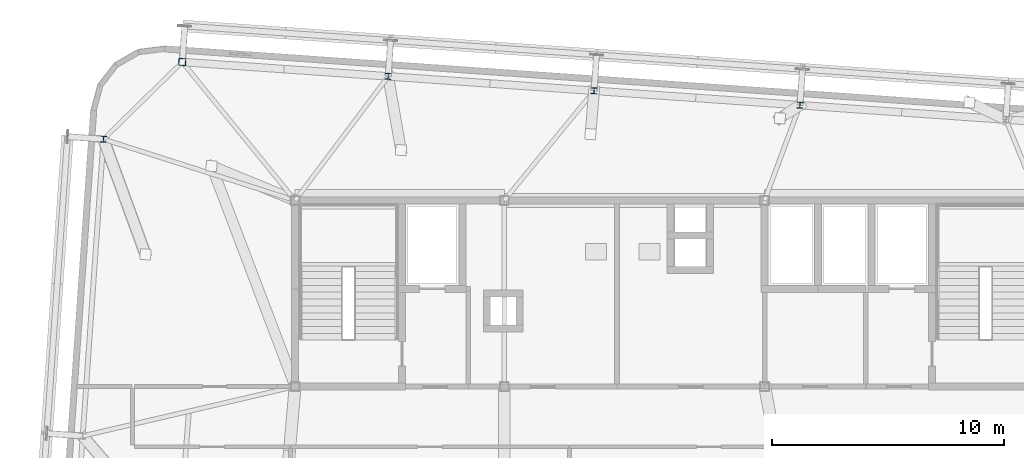
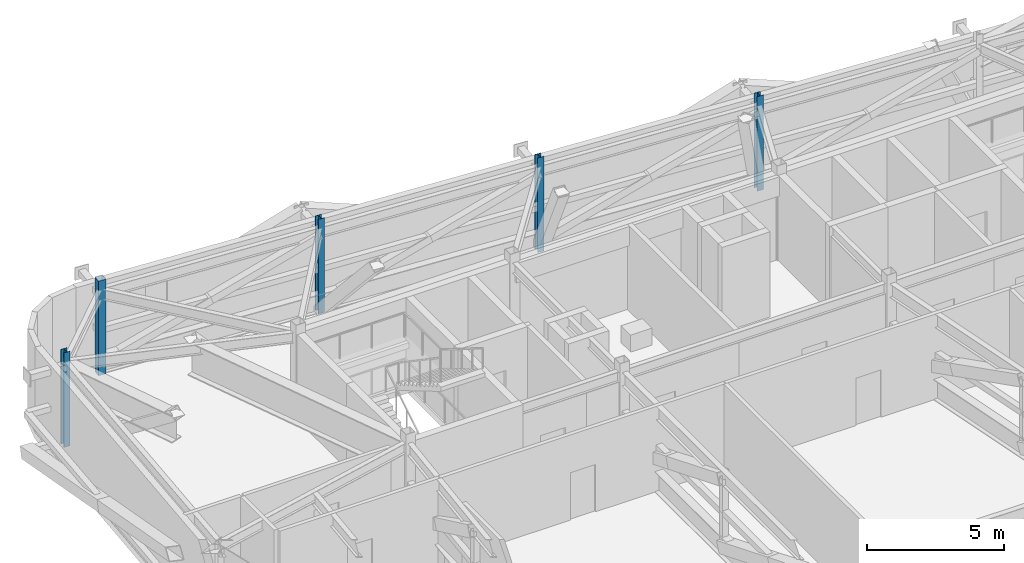
# One storey, part 4 of 24: 5 columns.
"""IFC4 building model written with IfcOpenShell, lengths in metres."""

import ifcopenshell
import ifcopenshell.guid

model = None  # the IFC model being written
_history = None  # IfcOwnerHistory: only IFC2X3 demands one
_inside = {}  # id of a spatial element -> (the spatial element, [elements in it])
_under = {}  # id of a project, library or spatial element -> (it, [spatial elements below it])
_declared = {}  # id of a project -> (the project, [libraries it declares])
_typed = {}  # id of a type object -> (the type object, [elements of that type])
_made_of = {}  # id of a material, layer set ... -> (it, [elements and type objects made of it])


def new_model(schema):
    """Start an empty IFC model of exactly this schema.

    Asked for "IFC4X3", IfcOpenShell would pick the latest addendum, in which some entities
    have other attributes; the version numbers below select the first issue.
    IFC2X3 requires an IfcOwnerHistory on every rooted entity: one is made here for all.
    """
    global model, _history
    if schema == "IFC4X3":
        model = ifcopenshell.file(schema_version=(4, 3, 0, 0))
    else:
        model = ifcopenshell.file(schema=schema)
    _inside.clear()
    _under.clear()
    _declared.clear()
    _typed.clear()
    _made_of.clear()
    _history = None
    if model.schema == "IFC2X3":
        org = make("IfcOrganization", Name="unknown")
        user = make(
            "IfcPersonAndOrganization",
            ThePerson=make("IfcPerson", FamilyName="unknown"),
            TheOrganization=org,
        )
        app = make(
            "IfcApplication",
            ApplicationDeveloper=org,
            Version="unknown",
            ApplicationFullName="unknown",
            ApplicationIdentifier="unknown",
        )
        _history = make(
            "IfcOwnerHistory",
            OwningUser=user,
            OwningApplication=app,
            ChangeAction="ADDED",
            CreationDate=0,
        )
    return model


def make(cls, **values):
    """One entity of the class cls with the attributes given. An attribute that is None is left unset."""
    return model.create_entity(
        cls, **{name: value for name, value in values.items() if value is not None}
    )


def rooted(cls, **values):
    """An entity with a GlobalId (a new one), such as an element, a storey or a relation."""
    return make(cls, GlobalId=ifcopenshell.guid.new(), OwnerHistory=_history, **values)


def si_unit(unit_type, name, prefix=None):
    """IfcSIUnit, for example si_unit("LENGTHUNIT", "METRE", prefix="MILLI")."""
    return make("IfcSIUnit", UnitType=unit_type, Prefix=prefix, Name=name)


def assignment(units):
    """IfcUnitAssignment: the units of a project."""
    return None if units is None else make("IfcUnitAssignment", Units=units)


def point(xyz):
    """IfcCartesianPoint."""
    return None if xyz is None else make("IfcCartesianPoint", Coordinates=xyz)


def direction(xyz):
    """IfcDirection."""
    return None if xyz is None else make("IfcDirection", DirectionRatios=xyz)


def frame(location, z_axis=None, x_axis=None):
    """IfcAxis2Placement3D, a coordinate frame: its origin and axes. An axis left out is left unset."""
    return make(
        "IfcAxis2Placement3D",
        Location=point(location),
        Axis=direction(z_axis),
        RefDirection=direction(x_axis),
    )


def frame_2d(location, x_axis=None):
    """IfcAxis2Placement2D, a coordinate frame in the plane: its origin and x axis."""
    return make(
        "IfcAxis2Placement2D", Location=point(location), RefDirection=direction(x_axis)
    )


def origin():
    """The frame at (0, 0, 0) with its axes left unset."""
    return frame((0.0, 0.0, 0.0))


def origin_2d():
    """The frame at (0, 0) in the plane with its x axis left unset."""
    return frame_2d((0.0, 0.0))


def place(relative_to, where):
    """IfcLocalPlacement: puts the frame where relative to a parent placement (None: the world)."""
    return make(
        "IfcLocalPlacement", PlacementRelTo=relative_to, RelativePlacement=where
    )


def context(
    kind, dimensions, precision=None, world=None, true_north=None, identifier=None
):
    """IfcGeometricRepresentationContext, for example the 3D "Model" context."""
    return make(
        "IfcGeometricRepresentationContext",
        ContextIdentifier=identifier,
        ContextType=kind,
        CoordinateSpaceDimension=dimensions,
        Precision=precision,
        WorldCoordinateSystem=world,
        TrueNorth=true_north,
    )


def subcontext(parent, identifier, kind, view, scale=None):
    """IfcGeometricRepresentationSubContext, for example "Body" below "Model"."""
    return make(
        "IfcGeometricRepresentationSubContext",
        ContextIdentifier=identifier,
        ContextType=kind,
        ParentContext=parent,
        TargetScale=scale,
        TargetView=view,
    )


def project(units=None, contexts=None):
    """IfcProject with its units and contexts."""
    return rooted(
        "IfcProject",
        Name="project",
        RepresentationContexts=contexts,
        UnitsInContext=assignment(units),
    )


def spatial(cls, under=None, at=None, **own):
    """A site, building, storey or space (cls), placed at a placement, below another one or the project."""
    s = rooted(cls, ObjectPlacement=at, **own)
    if under is not None:
        _under.setdefault(under.id(), (under, []))[1].append(s)
    return s


def profile(cls, at=None, kind="AREA", **sizes):
    """A parametric profile (cls). Its sizes go by their IFC names, for example OverallWidth=200.0."""
    return make(cls, ProfileType=kind, Position=at, **sizes)


def hollow_rectangle(**sizes):
    """IfcRectangleHollowProfileDef."""
    return profile("IfcRectangleHollowProfileDef", **sizes)


def i_section(**sizes):
    """IfcIShapeProfileDef."""
    return profile("IfcIShapeProfileDef", **sizes)


def extrude(swept, where, along, depth):
    """IfcExtrudedAreaSolid: the profile swept, set in the frame where, extruded along a direction by depth."""
    return make(
        "IfcExtrudedAreaSolid",
        SweptArea=swept,
        Position=where,
        ExtrudedDirection=direction(along),
        Depth=depth,
    )


def shape(context_of_items, identifier, shape_type, items):
    """IfcShapeRepresentation: the items that make up one representation, for example the "Body"."""
    return make(
        "IfcShapeRepresentation",
        ContextOfItems=context_of_items,
        RepresentationIdentifier=identifier,
        RepresentationType=shape_type,
        Items=items,
    )


def source(mapping_origin, context_of_items, identifier, shape_type, items):
    """IfcRepresentationMap: a shape defined once, which mapped items show again and again."""
    return make(
        "IfcRepresentationMap",
        MappingOrigin=mapping_origin,
        MappedRepresentation=shape(context_of_items, identifier, shape_type, items),
    )


def transform(
    local_origin,
    x_axis=None,
    y_axis=None,
    z_axis=None,
    scale=None,
    scale2=None,
    scale3=None,
    uniform=True,
):
    """IfcCartesianTransformationOperator3D, or its non-uniform kind. x_axis, y_axis, z_axis: its Axis1, 2, 3."""
    if uniform:
        return make(
            "IfcCartesianTransformationOperator3D",
            Axis1=direction(x_axis),
            Axis2=direction(y_axis),
            LocalOrigin=point(local_origin),
            Scale=scale,
            Axis3=direction(z_axis),
        )
    return make(
        "IfcCartesianTransformationOperator3DnonUniform",
        Axis1=direction(x_axis),
        Axis2=direction(y_axis),
        LocalOrigin=point(local_origin),
        Scale=scale,
        Axis3=direction(z_axis),
        Scale2=scale2,
        Scale3=scale3,
    )


def mapped(mapping_source, mapping_target):
    """IfcMappedItem: shows the shape of a source again, moved by a transform."""
    return make(
        "IfcMappedItem", MappingSource=mapping_source, MappingTarget=mapping_target
    )


def material(Name=None, Category=None):
    """IfcMaterial."""
    return make("IfcMaterial", Name=Name, Category=Category)


def material_profile(
    of_material, cross_section, Name=None, Category=None, Priority=None
):
    """IfcMaterialProfile: a cross section and its material."""
    return make(
        "IfcMaterialProfile",
        Name=Name,
        Material=of_material,
        Profile=cross_section,
        Priority=Priority,
        Category=Category,
    )


def profile_set(profiles, Name=None, composite=None):
    """IfcMaterialProfileSet."""
    return make(
        "IfcMaterialProfileSet",
        Name=Name,
        MaterialProfiles=profiles,
        CompositeProfile=composite,
    )


def made_of(thing, what):
    """Note that an element or type object is made of a material, layer set ...; save() writes the relation."""
    if what is not None:
        _made_of.setdefault(what.id(), (what, []))[1].append(thing)
    return thing


def type_object(cls, material=None, **own):
    """A type object (cls), such as IfcWallType, which elements share."""
    return made_of(rooted(cls, **own), material)


def element(
    cls,
    number,
    at=None,
    inside=None,
    cuts=None,
    type_object=None,
    material=None,
    context=None,
    identifier="Body",
    shape_type=None,
    held_by="IfcProductDefinitionShape",
    body=None,
    shapes=None,
    **own,
):
    """One element of the class cls, such as IfcWall. Its Tag is "e" and its number.

    at: its placement. inside: the storey or other place that contains it. cuts: it is an
    opening in that element (IfcRelVoidsElement). A single representation is given by context,
    identifier, shape_type and body (its items); several are given by shapes. held_by: the class
    of the entity that holds the representations. save() writes the other relations.
    """
    e = rooted(cls, Tag="e%d" % number, ObjectPlacement=at, **own)
    if body is not None:
        shapes = [shape(context, identifier, shape_type, body)]
    if shapes is not None:
        e.Representation = make(held_by, Representations=shapes)
    if inside is not None:
        _inside.setdefault(inside.id(), (inside, []))[1].append(e)
    if cuts is not None:
        rooted(
            "IfcRelVoidsElement", RelatingBuildingElement=cuts, RelatedOpeningElement=e
        )
    if type_object is not None:
        _typed.setdefault(type_object.id(), (type_object, []))[1].append(e)
    return made_of(e, material)


def aggregate(whole, parts):
    """IfcRelAggregates: a whole, such as a stair, and the parts it consists of."""
    return rooted("IfcRelAggregates", RelatingObject=whole, RelatedObjects=parts)


def save(model, path):
    """Write the relations noted so far, then the file.

    IfcRelAggregates (storeys below a building ...), IfcRelContainedInSpatialStructure (elements
    in a storey), IfcRelDefinesByType, IfcRelAssociatesMaterial and IfcRelDeclares: one each for
    every whole, place, type object, material and project.
    """
    for whole, parts in _under.values():
        aggregate(whole, parts)
    for where, things in _inside.values():
        rooted(
            "IfcRelContainedInSpatialStructure",
            RelatedElements=things,
            RelatingStructure=where,
        )
    for kind, things in _typed.values():
        rooted("IfcRelDefinesByType", RelatedObjects=things, RelatingType=kind)
    for what, things in _made_of.values():
        rooted("IfcRelAssociatesMaterial", RelatedObjects=things, RelatingMaterial=what)
    for by, libraries in _declared.values():
        rooted("IfcRelDeclares", RelatingContext=by, RelatedDefinitions=libraries)
    model.write(path)


model = new_model("IFC4")

# Units and contexts
model_context = context("Model", 3, precision=1e-05, world=origin(), true_north=direction((0.0, 1.0)))
body_context = subcontext(model_context, "Body", "Model", "MODEL_VIEW")
ifc_project = project(units=[si_unit("LENGTHUNIT", "METRE"), si_unit("AREAUNIT", "SQUARE_METRE"), si_unit("VOLUMEUNIT", "CUBIC_METRE"), si_unit("PLANEANGLEUNIT", "RADIAN"), si_unit("MASSUNIT", "GRAM", prefix="KILO")], contexts=[model_context])

# Site, building, storey
site_placement = place(None, origin())
site = spatial("IfcSite", under=ifc_project, at=site_placement, CompositionType="ELEMENT")
building_placement = place(site_placement, origin())
building = spatial("IfcBuilding", under=site, at=building_placement, Name="Taldren Reach Tower", CompositionType="ELEMENT")
storey_placement = place(building_placement, frame((0.0, 0.0, 164.5)))
storey = spatial("IfcBuildingStorey", under=building, at=storey_placement, Name="L50", CompositionType="ELEMENT", Elevation=164.5)

# Columns
ifc_material_1 = material(Name="Steel Gr 450 (C450L0)", Category="steel")
ifc_material_profile_1 = material_profile(ifc_material_1, hollow_rectangle(XDim=0.300048828125, YDim=0.300048828125, WallThickness=0.012451171875, at=origin_2d()), Name="300x300x12.5SHS")
ifc_profile_set_1 = profile_set([ifc_material_profile_1], Name="Steel Gr 450 (C450L0)")
column_type_1 = type_object("IfcColumnType", Name="COL-SHS300", PredefinedType="COLUMN", material=ifc_profile_set_1)
shared_shape_1 = source(origin(), body_context, "Body", "SweptSolid", [
    extrude(hollow_rectangle(XDim=0.300048828125, YDim=0.300048828125, WallThickness=0.012451171875, at=origin_2d()), origin(), (0.0, 0.0, 1.0), 4.199951171875),
])
column_placement = place(storey_placement, frame((14.14453125, 37.958740234375, 0.0), z_axis=(0.0, 0.0, 1.0), x_axis=(0.99756405026, -0.069756473744, 0.0)))
element("IfcColumn", 1, at=column_placement, inside=storey, type_object=column_type_1, Name="Block B3 perimeter column N1 L50", PredefinedType="COLUMN", context=body_context, shape_type="MappedRepresentation", body=[
    mapped(shared_shape_1, transform((0.0, 0.0, 0.0), scale=1.0)),
])
ifc_material_2 = material(Name="Steel Gr 350 (350PLUS)", Category="steel")
ifc_material_profile_2 = material_profile(ifc_material_2, i_section(OverallWidth=0.256103515625, OverallDepth=0.260009765625, WebThickness=0.010498046875, FlangeThickness=0.017333984375, at=origin_2d()), Name="250UC89.5")
ifc_profile_set_2 = profile_set([ifc_material_profile_2], Name="Steel Gr 350 (350PLUS)")
column_type_2 = type_object("IfcColumnType", Name="COL-UC250", PredefinedType="COLUMN", material=ifc_profile_set_2)
shared_shape_2 = source(origin(), body_context, "Body", "SweptSolid", [
    extrude(i_section(OverallWidth=0.256103515625, OverallDepth=0.260009765625, WebThickness=0.010498046875, FlangeThickness=0.017333984375, at=origin_2d()), origin(), (0.0, 0.0, 1.0), 4.199951171875),
])
for number, where, z_axis, x_axis, name in (
    (2, (23.0029296875, 37.33935546875, 0.0), (0.0, 0.0, 1.0), (0.99756405026, -0.069756473744, 0.0), "Block B3 perimeter column N2 L50"),
    (3, (31.861328125, 36.719970703125, 0.0), (0.0, 0.0, 1.0), (0.99756405026, -0.069756473744, 0.0), "Block B3 perimeter column N3 L50"),
    (4, (40.7197265625, 36.100341796875, 0.0), (0.0, 0.0, 1.0), (0.99756405026, -0.069756473744, 0.0), "Block B3 perimeter column N4 L50"),
    (5, (10.754638671875, 34.63720703125, 0.0), (0.0, 0.0, 1.0), (0.99756405026, -0.069756473744, 0.0), "Block B3 perimeter column W3 L50"),
):
    element("IfcColumn", number, at=place(storey_placement, frame(where, z_axis=z_axis, x_axis=x_axis)), inside=storey, type_object=column_type_2, Name=name, PredefinedType="COLUMN", context=body_context, shape_type="MappedRepresentation", body=[
        mapped(shared_shape_2, transform((0.0, 0.0, 0.0), scale=1.0)),
    ])

save(model, "model.ifc")
